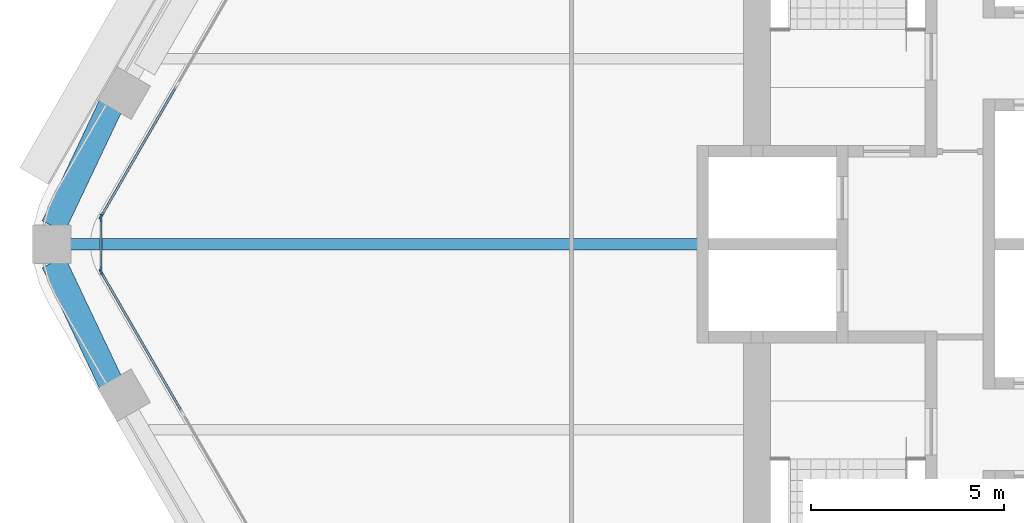
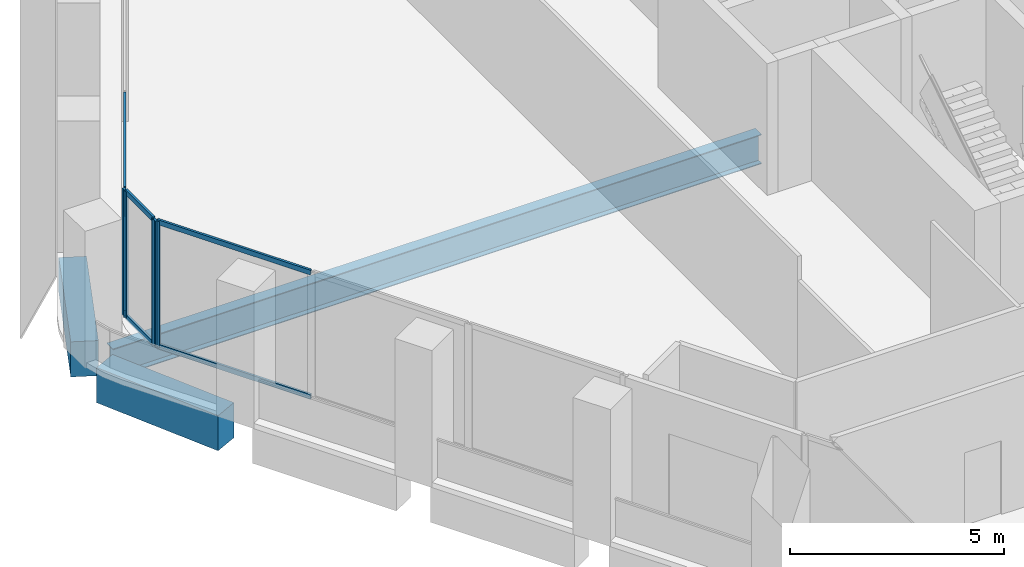
# One storey, part 3 of 16: 10 members, 3 beams, 3 elements without a shape of their own.
"""IFC4 building model written with IfcOpenShell, lengths in metres."""

from ifc_helpers import new_model, si_unit, direction, frame, origin, origin_2d, place, context, subcontext, project, spatial, rectangle, i_section, extrude, material, material_profile, profile_set, type_object, element, aggregate, save


model = new_model("IFC4")

# Units and contexts
model_context = context("Model", 3, precision=1e-05, world=origin(), true_north=direction((0.0, 1.0)))
body_context = subcontext(model_context, "Body", "Model", "MODEL_VIEW")
ifc_project = project(units=[si_unit("LENGTHUNIT", "METRE"), si_unit("AREAUNIT", "SQUARE_METRE"), si_unit("VOLUMEUNIT", "CUBIC_METRE"), si_unit("PLANEANGLEUNIT", "RADIAN"), si_unit("MASSUNIT", "GRAM", prefix="KILO")], contexts=[model_context])

# Site, building, storey
site_placement = place(None, origin())
site = spatial("IfcSite", under=ifc_project, at=site_placement, CompositionType="ELEMENT")
building_placement = place(site_placement, origin())
building = spatial("IfcBuilding", under=site, at=building_placement, Name="Kolab Exchange Tower", CompositionType="ELEMENT")
storey_placement = place(building_placement, frame((0.0, 0.0, 177.800048828125)))
storey = spatial("IfcBuildingStorey", under=building, at=storey_placement, Name="L37", CompositionType="ELEMENT", Elevation=177.800048828125)

# Beams
ifc_material_1 = material(Name="Steel S355", Category="steel")
ifc_material_profile_1 = material_profile(ifc_material_1, i_section(OverallWidth=0.2919921875, OverallDepth=0.840087890625, WebThickness=0.0146484375, FlangeThickness=0.021728515625, at=origin_2d()), Name="W840X193")
ifc_profile_set_1 = profile_set([ifc_material_profile_1], Name="Steel S355")
beam_type_1 = type_object("IfcBeamType", Name="FLOOR BEAM W840X193", PredefinedType="BEAM", material=ifc_profile_set_1)
beam_placement = place(storey_placement, frame((-27.3759765625, 0.0, -0.570068359375), z_axis=(1.0, 0.0, 0.0), x_axis=(0.0, 1.0, 0.0)))
element("IfcBeam", 1, at=beam_placement, inside=storey, type_object=beam_type_1, Name="beam/L37/fr/000", PredefinedType="BEAM", context=body_context, shape_type="SweptSolid", body=[
    extrude(i_section(OverallWidth=0.2919921875, OverallDepth=0.840087890625, WebThickness=0.0146484375, FlangeThickness=0.021728515625, at=origin_2d()), origin(), (0.0, 0.0, 1.0), 17.466064453125),
])
ifc_material_2 = material(Name="Concrete C60/75", Category="concrete")
ifc_material_profile_2 = material_profile(ifc_material_2, rectangle(XDim=0.64990234375, YDim=1.0, at=origin_2d()), Name="RC650X1000")
ifc_profile_set_2 = profile_set([ifc_material_profile_2], Name="Concrete C60/75")
beam_type_2 = type_object("IfcBeamType", Name="SPANDREL BEAM 650X1000 C60/75", PredefinedType="BEAM", material=ifc_profile_set_2)
for number, where, z_axis, x_axis, name in (
    (2, (-26.316162109375, -3.5771484375, -0.650146484375), (-0.428177731975, 0.903694544545, 0.0), (-0.903694544545, -0.428177731975, 0.0), "beam/L37/sp/F5-06"),
    (3, (-27.791259765625, 0.4638671875, -0.650146484375), (0.428177731975, 0.903694544545, 0.0), (-0.903694544545, 0.428177731975, 0.0), "beam/L37/sp/F6-01"),
):
    element("IfcBeam", number, at=place(storey_placement, frame(where, z_axis=z_axis, x_axis=x_axis)), inside=storey, type_object=beam_type_2, Name=name, PredefinedType="BEAM", context=body_context, shape_type="SweptSolid", body=[
        extrude(rectangle(XDim=0.64990234375, YDim=1.0, at=origin_2d()), origin(), (0.0, 0.0, 1.0), 3.445068359375),
    ])

# Curtain wall, member
ifc_material_3 = material(Name="Aluminium EN AW-6063 T6", Category="aluminium")
curtain_wall_type = type_object("IfcCurtainWallType", Name="UNITISED UPPER MID ZONE CURTAIN WALL", PredefinedType="NOTDEFINED", material=ifc_material_3)
curtain_wall_1_placement = place(storey_placement, origin())
curtain_wall_1 = element("IfcCurtainWall", 4, at=curtain_wall_1_placement, inside=storey, type_object=curtain_wall_type, Name="cw/L37/F5-2", PredefinedType="NOTDEFINED")
ifc_material_profile_3 = material_profile(ifc_material_3, rectangle(XDim=0.06005859375, YDim=0.199951171875, at=origin_2d()), Name="RECT 60X200")
ifc_profile_set_3 = profile_set([ifc_material_profile_3], Name="Aluminium EN AW-6063 T6")
member_type_1 = type_object("IfcMemberType", Name="UNITISED UPPER MID ZONE MULLION 60 X 200", PredefinedType="MULLION", material=ifc_profile_set_3)
member_1_placement = place(storey_placement, frame((-26.550537109375, -0.736083984375, 0.0), z_axis=(0.0, 0.0, 1.0), x_axis=(-0.866025427826, -0.499999958358, 0.0)))
member_1 = element("IfcMember", 5, at=member_1_placement, type_object=member_type_1, Name="CW3 mullion 4", PredefinedType="MULLION", context=body_context, shape_type="SweptSolid", body=[
    extrude(rectangle(XDim=0.06005859375, YDim=0.199951171875, at=origin_2d()), origin(), (0.0, 0.0, 1.0), 3.599853515625),
])

curtain_wall_2_placement = place(storey_placement, origin())
curtain_wall_2 = element("IfcCurtainWall", 6, at=curtain_wall_2_placement, inside=storey, type_object=curtain_wall_type, Name="cw/L37/F6-1", PredefinedType="NOTDEFINED")
member_2_placement = place(storey_placement, frame((-26.550537109375, 0.736083984375, 0.0), z_axis=(0.0, 0.0, 1.0), x_axis=(-0.866025440524, 0.499999936366, 0.0)))
member_2 = element("IfcMember", 7, at=member_2_placement, type_object=member_type_1, Name="CW3 mullion 1", PredefinedType="MULLION", context=body_context, shape_type="SweptSolid", body=[
    extrude(rectangle(XDim=0.06005859375, YDim=0.199951171875, at=origin_2d()), origin(), (0.0, 0.0, 1.0), 3.599853515625),
])

# Curtain wall, members
curtain_wall_3_placement = place(storey_placement, origin())
curtain_wall_3 = element("IfcCurtainWall", 8, at=curtain_wall_3_placement, inside=storey, type_object=curtain_wall_type, Name="cw/L37/F5F6-corner", PredefinedType="NOTDEFINED")
member_3_placement = place(storey_placement, frame((-26.565673828125, -0.679931640625, 0.0), z_axis=(0.0, 0.0, 1.0), x_axis=(-1.0, 0.0, 0.0)))
member_3 = element("IfcMember", 9, at=member_3_placement, type_object=member_type_1, Name="CW3 mullion 1", PredefinedType="MULLION", context=body_context, shape_type="SweptSolid", body=[
    extrude(rectangle(XDim=0.06005859375, YDim=0.199951171875, at=origin_2d()), origin(), (0.0, 0.0, 1.0), 3.599853515625),
])
member_4_placement = place(storey_placement, frame((-26.565673828125, 0.679931640625, 0.0), z_axis=(0.0, 0.0, 1.0), x_axis=(-1.0, 0.0, 0.0)))
member_4 = element("IfcMember", 10, at=member_4_placement, type_object=member_type_1, Name="CW3 mullion 2", PredefinedType="MULLION", context=body_context, shape_type="SweptSolid", body=[
    extrude(rectangle(XDim=0.06005859375, YDim=0.199951171875, at=origin_2d()), origin(), (0.0, 0.0, 1.0), 3.599853515625),
])

# Member
ifc_material_profile_4 = material_profile(ifc_material_3, rectangle(XDim=0.06005859375, YDim=0.139892578125, at=origin_2d()), Name="RECT 60X140")
ifc_profile_set_4 = profile_set([ifc_material_profile_4], Name="Aluminium EN AW-6063 T6")
member_type_2 = type_object("IfcMemberType", Name="UNITISED UPPER MID ZONE TRANSOM 60 X 140", PredefinedType="USERDEFINED", material=ifc_profile_set_4)
member_5_placement = place(storey_placement, frame((-24.46923828125, -4.3408203125, 0.030029296875), z_axis=(-0.500027577057, 0.866009481578, 0.0), x_axis=(-0.866009481578, -0.500027577057, 0.0)))
member_5 = element("IfcMember", 11, at=member_5_placement, type_object=member_type_2, Name="CW3 transom 3.1", ObjectType="TRANSOM", PredefinedType="USERDEFINED", context=body_context, shape_type="SweptSolid", body=[
    extrude(rectangle(XDim=0.06005859375, YDim=0.139892578125, at=origin_2d()), origin(), (0.0, 0.0, 1.0), 4.132568359375),
])

member_6_placement = place(storey_placement, frame((-24.46923828125, -4.3408203125, 3.570068359375), z_axis=(-0.500027577057, 0.866009481578, 0.0), x_axis=(-0.866009481578, -0.500027577057, 0.0)))
member_6 = element("IfcMember", 12, at=member_6_placement, type_object=member_type_2, Name="CW3 transom 3.2", ObjectType="TRANSOM", PredefinedType="USERDEFINED", context=body_context, shape_type="SweptSolid", body=[
    extrude(rectangle(XDim=0.06005859375, YDim=0.139892578125, at=origin_2d()), origin(), (0.0, 0.0, 1.0), 4.132568359375),
])

aggregate(curtain_wall_1, [member_1, member_5, member_6])

member_7_placement = place(storey_placement, frame((-26.53564453125, 0.761962890625, 0.030029296875), z_axis=(0.499991857942, 0.866030104553, 0.0), x_axis=(-0.866030104553, 0.499991857942, 0.0)))
member_7 = element("IfcMember", 13, at=member_7_placement, type_object=member_type_2, Name="CW3 transom 1.1", ObjectType="TRANSOM", PredefinedType="USERDEFINED", context=body_context, shape_type="SweptSolid", body=[
    extrude(rectangle(XDim=0.06005859375, YDim=0.139892578125, at=origin_2d()), origin(), (0.0, 0.0, 1.0), 3.84375),
])

member_8_placement = place(storey_placement, frame((-26.53564453125, 0.761962890625, 3.570068359375), z_axis=(0.499991857942, 0.866030104553, 0.0), x_axis=(-0.866030104553, 0.499991857942, 0.0)))
member_8 = element("IfcMember", 14, at=member_8_placement, type_object=member_type_2, Name="CW3 transom 1.2", ObjectType="TRANSOM", PredefinedType="USERDEFINED", context=body_context, shape_type="SweptSolid", body=[
    extrude(rectangle(XDim=0.06005859375, YDim=0.139892578125, at=origin_2d()), origin(), (0.0, 0.0, 1.0), 3.84375),
])

aggregate(curtain_wall_2, [member_2, member_7, member_8])

member_9_placement = place(storey_placement, frame((-26.565673828125, -0.64990234375, 0.030029296875), z_axis=(0.0, 1.0, 0.0), x_axis=(-1.0, 0.0, 0.0)))
member_9 = element("IfcMember", 15, at=member_9_placement, type_object=member_type_2, Name="CW3 transom 1.1", ObjectType="TRANSOM", PredefinedType="USERDEFINED", context=body_context, shape_type="SweptSolid", body=[
    extrude(rectangle(XDim=0.06005859375, YDim=0.139892578125, at=origin_2d()), origin(), (0.0, 0.0, 1.0), 1.2998046875),
])

member_10_placement = place(storey_placement, frame((-26.565673828125, -0.64990234375, 3.570068359375), z_axis=(0.0, 1.0, 0.0), x_axis=(-1.0, 0.0, 0.0)))
member_10 = element("IfcMember", 16, at=member_10_placement, type_object=member_type_2, Name="CW3 transom 1.2", ObjectType="TRANSOM", PredefinedType="USERDEFINED", context=body_context, shape_type="SweptSolid", body=[
    extrude(rectangle(XDim=0.06005859375, YDim=0.139892578125, at=origin_2d()), origin(), (0.0, 0.0, 1.0), 1.2998046875),
])

aggregate(curtain_wall_3, [member_3, member_4, member_9, member_10])

save(model, "model.ifc")
